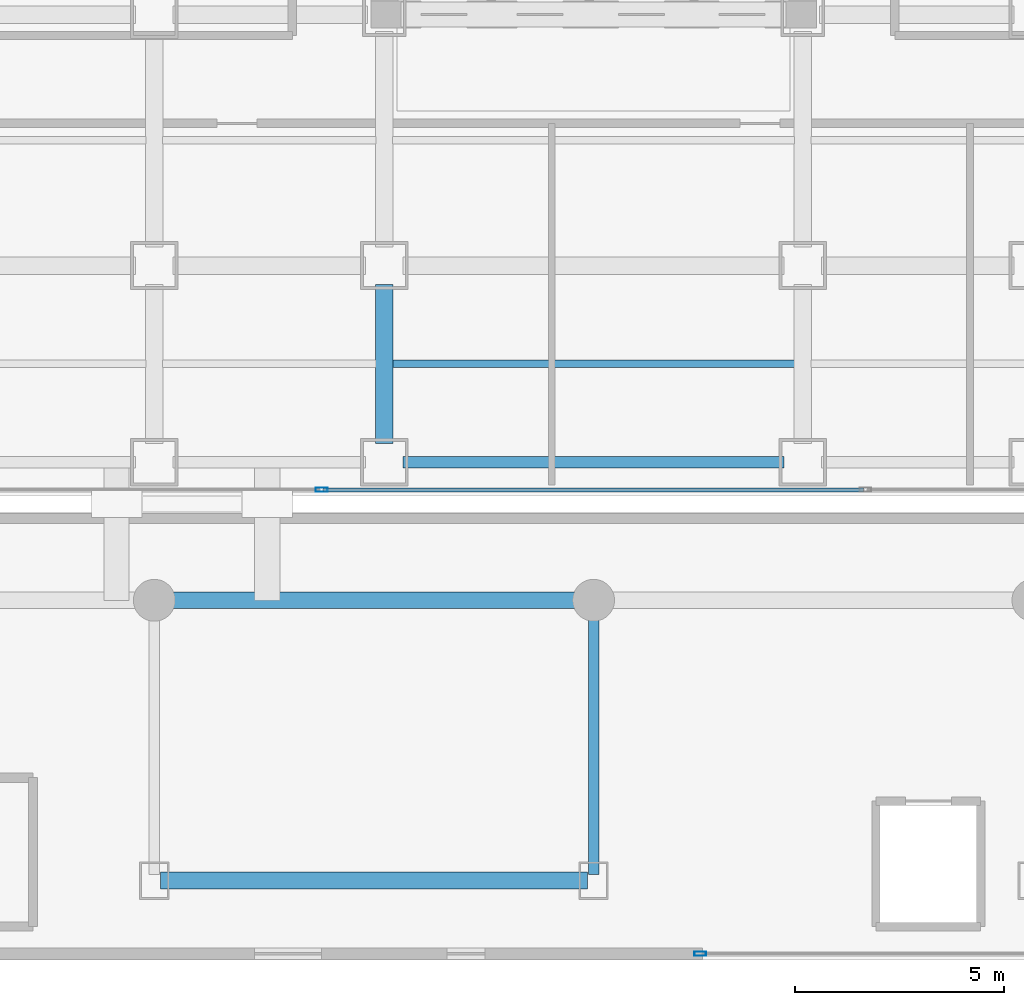
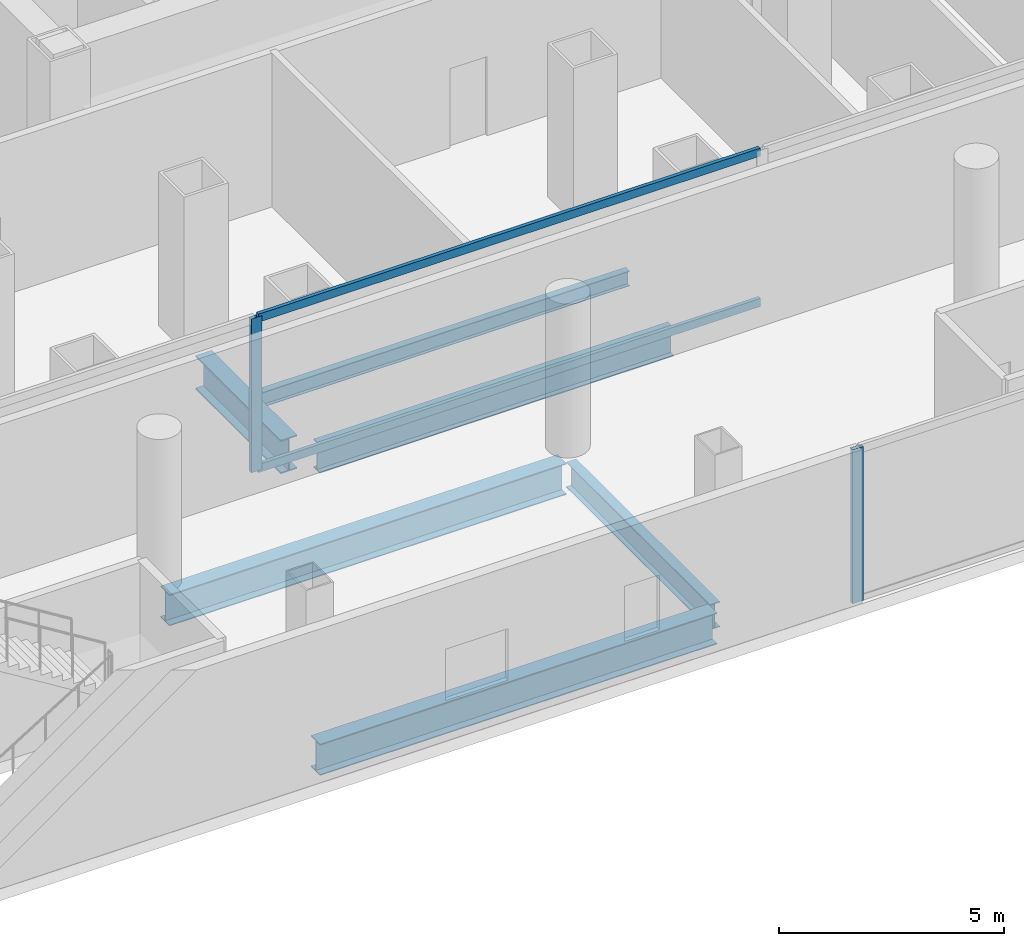
# One storey, part 7 of 26: 6 beams, 4 members, 2 elements without a shape of their own.
"""IFC4 building model written with IfcOpenShell, lengths in metres."""

from ifc_helpers import new_model, si_unit, direction, frame, origin, origin_2d, place, context, subcontext, project, spatial, hollow_rectangle, i_section, extrude, source, transform, mapped, material, layer, layer_set, material_profile, profile_set, type_object, element, aggregate, save


model = new_model("IFC4")

# Units and contexts
model_context = context("Model", 3, precision=1e-05, world=origin(), true_north=direction((0.0, 1.0)))
body_context = subcontext(model_context, "Body", "Model", "MODEL_VIEW")
ifc_project = project(units=[si_unit("LENGTHUNIT", "METRE"), si_unit("AREAUNIT", "SQUARE_METRE"), si_unit("VOLUMEUNIT", "CUBIC_METRE"), si_unit("PLANEANGLEUNIT", "RADIAN"), si_unit("MASSUNIT", "GRAM", prefix="KILO")], contexts=[model_context])

# Site, building, storey
site_placement = place(None, origin())
site = spatial("IfcSite", under=ifc_project, at=site_placement, CompositionType="ELEMENT")
building_placement = place(site_placement, origin())
building = spatial("IfcBuilding", under=site, at=building_placement, Name="Kolveth Station Tower", CompositionType="ELEMENT")
storey_placement = place(building_placement, frame((0.0, 0.0, 9.0)))
storey = spatial("IfcBuildingStorey", under=building, at=storey_placement, Name="L02", CompositionType="ELEMENT", Elevation=9.0)

# Beams
ifc_material_1 = material(Name="Steel S355", Category="steel")
ifc_material_profile_1 = material_profile(ifc_material_1, i_section(OverallWidth=0.26904296875, OverallDepth=0.77490234375, WebThickness=0.01708984375, FlangeThickness=0.0283203125, at=origin_2d()), Name="W760x220")
ifc_profile_set_1 = profile_set([ifc_material_profile_1], Name="Steel S355")
beam_type_1 = type_object("IfcBeamType", Name="Beam_SP1", PredefinedType="SPANDREL", material=ifc_profile_set_1)
shared_shape_1 = source(origin(), body_context, "Body", "SweptSolid", [
    extrude(i_section(OverallWidth=0.26904296875, OverallDepth=0.77490234375, WebThickness=0.01708984375, FlangeThickness=0.0283203125, at=origin_2d()), origin(), (0.0, 0.0, 1.0), 9.10009765625),
])
beam_1_placement = place(storey_placement, frame((18.949951171875, 0.800048828125, -0.70751953125), z_axis=(1.0, 0.0, 0.0), x_axis=(0.0, 1.0, 0.0)))
element("IfcBeam", 1, at=beam_1_placement, inside=storey, type_object=beam_type_1, Name="L02 Perimeter Spandrel BM-L02-PS-3", PredefinedType="SPANDREL", context=body_context, shape_type="MappedRepresentation", body=[
    mapped(shared_shape_1, transform((0.0, 0.0, 0.0), x_axis=(1.0, 0.0, 0.0), y_axis=(0.0, 1.0, 0.0), z_axis=(0.0, 0.0, 1.0), scale=1.0)),
])
ifc_material_profile_2 = material_profile(ifc_material_1, i_section(OverallWidth=0.41796875, OverallDepth=0.912109375, WebThickness=0.019287109375, FlangeThickness=0.031982421875, at=origin_2d()), Name="W920x342")
ifc_profile_set_2 = profile_set([ifc_material_profile_2], Name="Steel S355")
beam_type_2 = type_object("IfcBeamType", Name="Beam_B1", PredefinedType="BEAM", material=ifc_profile_set_2)
shared_shape_2 = source(origin(), body_context, "Body", "SweptSolid", [
    extrude(i_section(OverallWidth=0.41796875, OverallDepth=0.912109375, WebThickness=0.019287109375, FlangeThickness=0.031982421875, at=origin_2d()), origin(), (0.0, 0.0, 1.0), 3.800048828125),
])
beam_2_placement = place(storey_placement, frame((18.5, 1.25, -0.77587890625), z_axis=(0.0, 1.0, 0.0), x_axis=(-1.0, 0.0, 0.0)))
element("IfcBeam", 2, at=beam_2_placement, inside=storey, type_object=beam_type_2, Name="L02 Primary Girder BM-L02-GX185-1", PredefinedType="BEAM", context=body_context, shape_type="MappedRepresentation", body=[
    mapped(shared_shape_2, transform((0.0, 0.0, 0.0), x_axis=(1.0, 0.0, 0.0), y_axis=(0.0, 1.0, 0.0), z_axis=(0.0, 0.0, 1.0), scale=1.0)),
])
ifc_material_profile_3 = material_profile(ifc_material_1, i_section(OverallWidth=0.177978515625, OverallDepth=0.406982421875, WebThickness=0.0078125, FlangeThickness=0.0126953125, at=origin_2d()), Name="W410x60")
ifc_profile_set_3 = profile_set([ifc_material_profile_3], Name="Steel S355")
beam_type_3 = type_object("IfcBeamType", Name="Beam_J1", PredefinedType="JOIST", material=ifc_profile_set_3)
shared_shape_3 = source(origin(), body_context, "Body", "SweptSolid", [
    extrude(i_section(OverallWidth=0.177978515625, OverallDepth=0.406982421875, WebThickness=0.0078125, FlangeThickness=0.0126953125, at=origin_2d()), origin(), (0.0, 0.0, 1.0), 9.60986328125),
])
beam_3_placement = place(storey_placement, frame((18.695068359375, 3.14990234375, -0.5234375), z_axis=(1.0, 0.0, 0.0), x_axis=(0.0, 1.0, 0.0)))
element("IfcBeam", 3, at=beam_3_placement, inside=storey, type_object=beam_type_3, Name="L02 Secondary Joist JST-L02-4-1", PredefinedType="JOIST", context=body_context, shape_type="MappedRepresentation", body=[
    mapped(shared_shape_3, transform((0.0, 0.0, 0.0), x_axis=(1.0, 0.0, 0.0), y_axis=(0.0, 1.0, 0.0), z_axis=(0.0, 0.0, 1.0), scale=1.0)),
])
ifc_material_profile_4 = material_profile(ifc_material_1, i_section(OverallWidth=0.40087890625, OverallDepth=0.85107421875, WebThickness=0.01611328125, FlangeThickness=0.025390625, at=origin_2d()), Name="W840x226")
ifc_profile_set_4 = profile_set([ifc_material_profile_4], Name="Steel S355")
beam_type_4 = type_object("IfcBeamType", Name="Beam_B2", PredefinedType="BEAM", material=ifc_profile_set_4)
shared_shape_4 = source(origin(), body_context, "Body", "SweptSolid", [
    extrude(i_section(OverallWidth=0.40087890625, OverallDepth=0.85107421875, WebThickness=0.01611328125, FlangeThickness=0.025390625, at=origin_2d()), origin(), (0.0, 0.0, 1.0), 10.2001953125),
])
for number, where, z_axis, x_axis, name in (
    (4, (13.14990234375, -9.199951171875, -0.74560546875), (1.0, 0.0, 0.0), (0.0, 1.0, 0.0), "L02 Station Concourse Girder SBM-L02-SL1-2"),
    (5, (13.14990234375, -2.5, -0.74560546875), (1.0, 0.0, 0.0), (0.0, 1.0, 0.0), "L02 Station Concourse Girder SBM-L02-SL2-2"),
):
    element("IfcBeam", number, at=place(storey_placement, frame(where, z_axis=z_axis, x_axis=x_axis)), inside=storey, type_object=beam_type_4, Name=name, PredefinedType="BEAM", context=body_context, shape_type="MappedRepresentation", body=[
        mapped(shared_shape_4, transform((0.0, 0.0, 0.0), x_axis=(1.0, 0.0, 0.0), y_axis=(0.0, 1.0, 0.0), z_axis=(0.0, 0.0, 1.0), scale=1.0)),
    ])
ifc_material_profile_5 = material_profile(ifc_material_1, i_section(OverallWidth=0.25390625, OverallDepth=0.68798828125, WebThickness=0.01318359375, FlangeThickness=0.02099609375, at=origin_2d()), Name="W690x152")
ifc_profile_set_5 = profile_set([ifc_material_profile_5], Name="Steel S355")
beam_type_5 = type_object("IfcBeamType", Name="Beam_B4", PredefinedType="BEAM", material=ifc_profile_set_5)
shared_shape_5 = source(origin(), body_context, "Body", "SweptSolid", [
    extrude(i_section(OverallWidth=0.25390625, OverallDepth=0.68798828125, WebThickness=0.01318359375, FlangeThickness=0.02099609375, at=origin_2d()), origin(), (0.0, 0.0, 1.0), 6.400146484375),
])
beam_4_placement = place(storey_placement, frame((23.5, -9.050048828125, -0.6640625), z_axis=(0.0, 1.0, 0.0), x_axis=(-1.0, 0.0, 0.0)))
element("IfcBeam", 6, at=beam_4_placement, inside=storey, type_object=beam_type_5, Name="L02 Station Transverse Beam SBM-L02-ST-3", PredefinedType="BEAM", context=body_context, shape_type="MappedRepresentation", body=[
    mapped(shared_shape_5, transform((0.0, 0.0, 0.0), x_axis=(1.0, 0.0, 0.0), y_axis=(0.0, 1.0, 0.0), z_axis=(0.0, 0.0, 1.0), scale=1.0)),
])

# Curtain wall, member
ifc_material_2 = material(Name="Black anodized aluminium 6063-T6 and clear station glass", Category="aluminium")
ifc_layer = layer(ifc_material_2, 0.239990234375)
ifc_layer_set = layer_set([ifc_layer], Name="Black anodized aluminium 6063-T6 and clear station glass")
curtain_wall_type = type_object("IfcCurtainWallType", Name="CurtainWall_CW-ST", PredefinedType="NOTDEFINED", material=ifc_layer_set)
curtain_wall_1_placement = place(storey_placement, origin())
curtain_wall_1 = element("IfcCurtainWall", 7, at=curtain_wall_1_placement, inside=storey, type_object=curtain_wall_type, Name="L02 Tower Podium South Storefront Curtain Wall", PredefinedType="NOTDEFINED")
ifc_material_3 = material(Name="Black anodized aluminium 6063-T6", Category="aluminium")
ifc_material_profile_6 = material_profile(ifc_material_3, hollow_rectangle(XDim=0.10009765625, YDim=0.280029296875, WallThickness=0.0048828125, at=origin_2d()), Name="ALU-100x280x5")
ifc_profile_set_6 = profile_set([ifc_material_profile_6], Name="Black anodized aluminium 6063-T6")
member_type_1 = type_object("IfcMemberType", Name="Mullion_ML-ST", PredefinedType="MULLION", material=ifc_profile_set_6)
shared_shape_6 = source(origin(), body_context, "Body", "SweptSolid", [
    extrude(hollow_rectangle(XDim=0.10009765625, YDim=0.280029296875, WallThickness=0.0048828125, at=origin_2d()), origin(), (0.0, 0.0, 1.0), 4.179931640625),
])
member_1_placement = place(storey_placement, frame((17.0, 0.139892578125, 0.0), z_axis=(0.0, 0.0, 1.0), x_axis=(0.0, 1.0, 0.0)))
member_1 = element("IfcMember", 8, at=member_1_placement, type_object=member_type_1, Name="CW-ST mullion 2", PredefinedType="MULLION", context=body_context, shape_type="MappedRepresentation", body=[
    mapped(shared_shape_6, transform((0.0, 0.0, 0.0), x_axis=(1.0, 0.0, 0.0), y_axis=(0.0, 1.0, 0.0), z_axis=(0.0, 0.0, 1.0), scale=1.0)),
])

curtain_wall_2_placement = place(storey_placement, origin())
curtain_wall_2 = element("IfcCurtainWall", 9, at=curtain_wall_2_placement, inside=storey, type_object=curtain_wall_type, Name="L02 Station South Concourse Curtain Wall", PredefinedType="NOTDEFINED")
member_2_placement = place(storey_placement, frame((26.050048828125, -10.949951171875, 0.0), z_axis=(0.0, 0.0, 1.0), x_axis=(0.0, 1.0, 0.0)))
member_2 = element("IfcMember", 10, at=member_2_placement, type_object=member_type_1, Name="CW-ST mullion 1", PredefinedType="MULLION", context=body_context, shape_type="MappedRepresentation", body=[
    mapped(shared_shape_6, transform((0.0, 0.0, 0.0), x_axis=(1.0, 0.0, 0.0), y_axis=(0.0, 1.0, 0.0), z_axis=(0.0, 0.0, 1.0), scale=1.0)),
])
aggregate(curtain_wall_2, [member_2])

# Member
ifc_material_profile_7 = material_profile(ifc_material_3, hollow_rectangle(XDim=0.094970703125, YDim=0.219970703125, WallThickness=0.0048828125, at=origin_2d()), Name="ALU-95x220x5")
ifc_profile_set_7 = profile_set([ifc_material_profile_7], Name="Black anodized aluminium 6063-T6")
member_type_2 = type_object("IfcMemberType", Name="Transom_TR-ST", PredefinedType="USERDEFINED", material=ifc_profile_set_7)
shared_shape_7 = source(origin(), body_context, "Body", "SweptSolid", [
    extrude(hollow_rectangle(XDim=0.094970703125, YDim=0.219970703125, WallThickness=0.0048828125, at=origin_2d()), origin(), (0.0, 0.0, 1.0), 12.89990234375),
])
member_3_placement = place(storey_placement, frame((17.050048828125, 0.139892578125, 0.047607421875), z_axis=(1.0, 0.0, 0.0), x_axis=(0.0, 1.0, 0.0)))
member_3 = element("IfcMember", 11, at=member_3_placement, type_object=member_type_2, Name="CW-ST transom 2.1", ObjectType="TRANSOM", PredefinedType="USERDEFINED", context=body_context, shape_type="MappedRepresentation", body=[
    mapped(shared_shape_7, transform((0.0, 0.0, 0.0), x_axis=(1.0, 0.0, 0.0), y_axis=(0.0, 1.0, 0.0), z_axis=(0.0, 0.0, 1.0), scale=1.0)),
])

member_4_placement = place(storey_placement, frame((17.050048828125, 0.139892578125, 4.132568359375), z_axis=(1.0, 0.0, 0.0), x_axis=(0.0, 1.0, 0.0)))
member_4 = element("IfcMember", 12, at=member_4_placement, type_object=member_type_2, Name="CW-ST transom 2.2", ObjectType="TRANSOM", PredefinedType="USERDEFINED", context=body_context, shape_type="MappedRepresentation", body=[
    mapped(shared_shape_7, transform((0.0, 0.0, 0.0), x_axis=(1.0, 0.0, 0.0), y_axis=(0.0, 1.0, 0.0), z_axis=(0.0, 0.0, 1.0), scale=1.0)),
])

aggregate(curtain_wall_1, [member_1, member_3, member_4])

save(model, "model.ifc")
